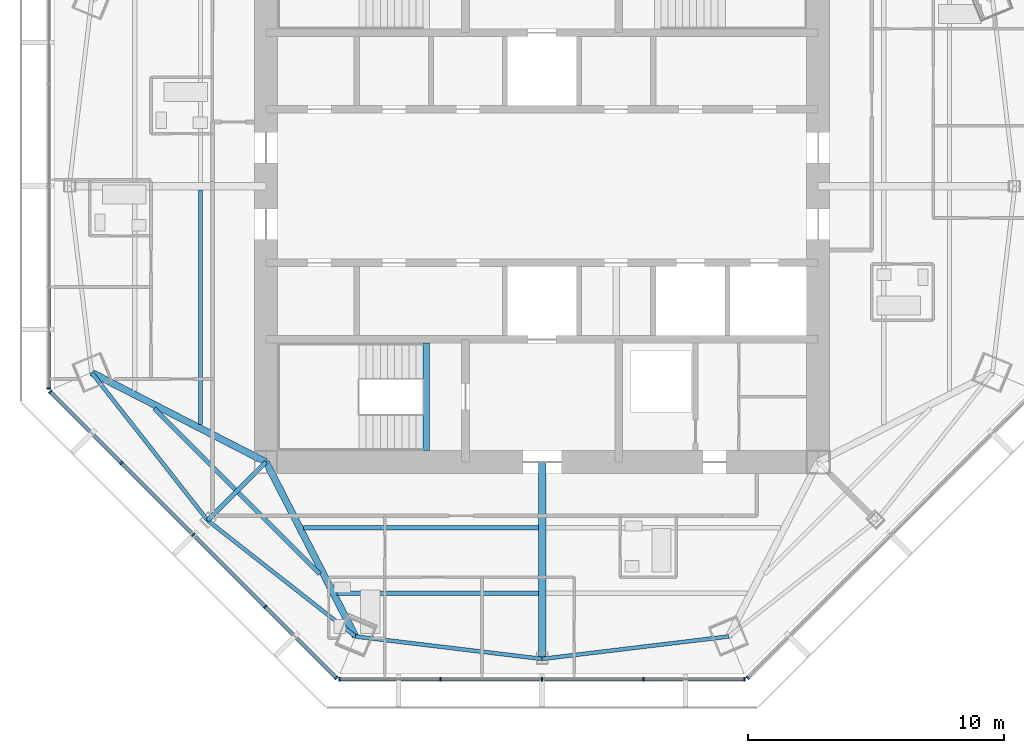
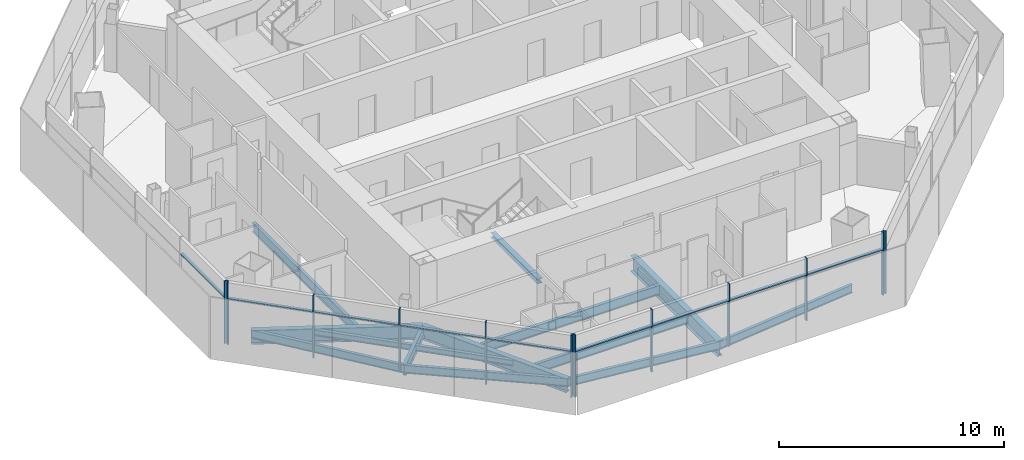
# One storey, part 2 of 15: 21 members, 14 beams, 4 elements without a shape of their own.
"""IFC4 building model written with IfcOpenShell, lengths in metres."""

from ifc_helpers import new_model, si_unit, direction, frame, origin, origin_2d, place, context, subcontext, project, spatial, rectangle, i_section, extrude, source, transform, mapped, material, material_profile, profile_set, type_object, type_shapes, element, aggregate, save


model = new_model("IFC4")

# Units and contexts
model_context = context("Model", 3, precision=1e-05, world=origin(), true_north=direction((0.0, 1.0)))
body_context = subcontext(model_context, "Body", "Model", "MODEL_VIEW")
ifc_project = project(units=[si_unit("LENGTHUNIT", "METRE"), si_unit("AREAUNIT", "SQUARE_METRE"), si_unit("VOLUMEUNIT", "CUBIC_METRE"), si_unit("PLANEANGLEUNIT", "RADIAN"), si_unit("MASSUNIT", "GRAM", prefix="KILO")], contexts=[model_context])

# Site, building, storey
site_placement = place(None, origin())
site = spatial("IfcSite", under=ifc_project, at=site_placement, CompositionType="ELEMENT")
building_placement = place(site_placement, origin())
building = spatial("IfcBuilding", under=site, at=building_placement, Name="Mashrafa Tower", CompositionType="ELEMENT")
storey_placement = place(building_placement, frame((0.0, 0.0, 308.199951171875)))
storey = spatial("IfcBuildingStorey", under=building, at=storey_placement, Name="L76", CompositionType="ELEMENT", Elevation=308.199951171875)

# Beams
ifc_material_1 = material(Name="Steel ASTM A992", Category="steel")
ifc_material_profile_1 = material_profile(ifc_material_1, i_section(OverallWidth=0.164794921875, OverallDepth=0.309814453125, WebThickness=0.005859375, FlangeThickness=0.009765625, FilletRadius=0.007568359375, at=origin_2d()), Name="W12X26")
ifc_profile_set_1 = profile_set([ifc_material_profile_1], Name="Steel ASTM A992")
beam_type_1 = type_object("IfcBeamType", Name="Beam W12X26", PredefinedType="BEAM", material=ifc_profile_set_1)
for number, where, z_axis, x_axis, name in (
    (1, (-12.00439453125, -11.87841796875, -0.35498046875), (-0.707106781187, 0.707106781187, 0.0), (-0.707106781187, -0.707106781187, 0.0), "Floor beam L76 006"),
    (2, (-8.70361328125, -15.17919921875, -0.35498046875), (-0.707106781187, 0.707106781187, 0.0), (-0.707106781187, -0.707106781187, 0.0), "Floor beam L76 009"),
):
    element("IfcBeam", number, at=place(storey_placement, frame(where, z_axis=z_axis, x_axis=x_axis)), inside=storey, type_object=beam_type_1, Name=name, PredefinedType="BEAM", context=body_context, shape_type="SweptSolid", body=[
        extrude(i_section(OverallWidth=0.164794921875, OverallDepth=0.309814453125, WebThickness=0.005859375, FlangeThickness=0.009765625, FilletRadius=0.007568359375, at=origin_2d()), origin(), (0.0, 0.0, 1.0), 4.48974609375),
    ])
ifc_material_2 = material(Name="Steel ASTM A992", Category="steel")
ifc_material_profile_2 = material_profile(ifc_material_2, i_section(OverallWidth=0.15234375, OverallDepth=0.449462890625, WebThickness=0.007568359375, FlangeThickness=0.0107421875, FilletRadius=0.01025390625, at=origin_2d()), Name="W18X35")
ifc_profile_set_2 = profile_set([ifc_material_profile_2], Name="Steel ASTM A992")
beam_type_2 = type_object("IfcBeamType", Name="Beam W18X35", PredefinedType="BEAM", material=ifc_profile_set_2)
for number, where, z_axis, x_axis, name in (
    (3, (-17.62353515625, -7.2998046875, -0.4248046875), (0.617570758349, -0.786515326254, 0.0), (0.786515326254, 0.617570758349, 0.0), "Spandrel beam L76 042"),
    (4, (-13.082763671875, -13.082763671875, -0.4248046875), (0.786515326254, -0.617570758349, 0.0), (0.617570758349, 0.786515326254, 0.0), "Spandrel beam L76 044"),
    (5, (-7.2998046875, -17.62353515625, -0.4248046875), (0.992841442027, -0.119439821638, 0.0), (0.119439821638, 0.992841442027, 0.0), "Spandrel beam L76 046"),
    (6, (0.0, -18.501708984375, -0.4248046875), (0.992841442027, 0.119439821638, 0.0), (-0.119439821638, 0.992841442027, 0.0), "Spandrel beam L76 048"),
):
    element("IfcBeam", number, at=place(storey_placement, frame(where, z_axis=z_axis, x_axis=x_axis)), inside=storey, type_object=beam_type_2, Name=name, PredefinedType="BEAM", context=body_context, shape_type="SweptSolid", body=[
        extrude(i_section(OverallWidth=0.15234375, OverallDepth=0.449462890625, WebThickness=0.007568359375, FlangeThickness=0.0107421875, FilletRadius=0.01025390625, at=origin_2d()), origin(), (0.0, 0.0, 1.0), 7.3525390625),
    ])
ifc_material_3 = material(Name="Steel ASTM A992", Category="steel")
ifc_material_profile_3 = material_profile(ifc_material_3, i_section(OverallWidth=0.165771484375, OverallDepth=0.5283203125, WebThickness=0.009765625, FlangeThickness=0.013671875, FilletRadius=0.012939453125, at=origin_2d()), Name="W21X50")
ifc_profile_set_3 = profile_set([ifc_material_profile_3], Name="Steel ASTM A992")
beam_type_3 = type_object("IfcBeamType", Name="Beam W21X50", PredefinedType="BEAM", material=ifc_profile_set_3)
beam_1_placement = place(storey_placement, frame((-13.3671875, -9.333251953125, -0.464111328125), z_axis=(0.0, 1.0, 0.0), x_axis=(-1.0, 0.0, 0.0)))
element("IfcBeam", 7, at=beam_1_placement, inside=storey, type_object=beam_type_3, Name="Floor beam L76 004", PredefinedType="BEAM", context=body_context, shape_type="SweptSolid", body=[
    extrude(i_section(OverallWidth=0.165771484375, OverallDepth=0.5283203125, WebThickness=0.009765625, FlangeThickness=0.013671875, FilletRadius=0.012939453125, at=origin_2d()), origin(), (0.0, 0.0, 1.0), 9.187255859375),
])
beam_2_placement = place(storey_placement, frame((-0.14599609375, -15.9345703125, -0.464111328125), z_axis=(-1.0, 0.0, 0.0), x_axis=(0.0, -1.0, 0.0)))
element("IfcBeam", 8, at=beam_2_placement, inside=storey, type_object=beam_type_3, Name="Floor beam L76 011", PredefinedType="BEAM", context=body_context, shape_type="SweptSolid", body=[
    extrude(i_section(OverallWidth=0.165771484375, OverallDepth=0.5283203125, WebThickness=0.009765625, FlangeThickness=0.013671875, FilletRadius=0.012939453125, at=origin_2d()), origin(), (0.0, 0.0, 1.0), 7.870361328125),
])
beam_3_placement = place(storey_placement, frame((-0.14599609375, -13.3671875, -0.464111328125), z_axis=(-1.0, 0.0, 0.0), x_axis=(0.0, -1.0, 0.0)))
element("IfcBeam", 9, at=beam_3_placement, inside=storey, type_object=beam_type_3, Name="Floor beam L76 012", PredefinedType="BEAM", context=body_context, shape_type="SweptSolid", body=[
    extrude(i_section(OverallWidth=0.165771484375, OverallDepth=0.5283203125, WebThickness=0.009765625, FlangeThickness=0.013671875, FilletRadius=0.012939453125, at=origin_2d()), origin(), (0.0, 0.0, 1.0), 9.187255859375),
])
ifc_material_4 = material(Name="Steel ASTM A992", Category="steel")
ifc_material_profile_4 = material_profile(ifc_material_4, i_section(OverallWidth=0.177978515625, OverallDepth=0.599365234375, WebThickness=0.010009765625, FlangeThickness=0.012939453125, FilletRadius=0.012939453125, at=origin_2d()), Name="W24X55")
ifc_profile_set_4 = profile_set([ifc_material_profile_4], Name="Steel ASTM A992")
beam_type_4 = type_object("IfcBeamType", Name="Beam W24X55", PredefinedType="BEAM", material=ifc_profile_set_4)
beam_4_placement = place(storey_placement, frame((-10.800048828125, -10.800048828125, -0.499755859375), z_axis=(-0.707106781187, -0.707106781187, 0.0), x_axis=(0.707106781187, -0.707106781187, 0.0)))
element("IfcBeam", 10, at=beam_4_placement, inside=storey, type_object=beam_type_4, Name="Radial girder L76 026", PredefinedType="BEAM", context=body_context, shape_type="SweptSolid", body=[
    extrude(i_section(OverallWidth=0.177978515625, OverallDepth=0.599365234375, WebThickness=0.010009765625, FlangeThickness=0.012939453125, FilletRadius=0.012939453125, at=origin_2d()), origin(), (0.0, 0.0, 1.0), 3.228271484375),
])
ifc_material_5 = material(Name="Steel ASTM A992", Category="steel")
ifc_material_profile_5 = material_profile(ifc_material_5, i_section(OverallWidth=0.2666015625, OverallDepth=0.75439453125, WebThickness=0.01318359375, FlangeThickness=0.01708984375, FilletRadius=0.0166015625, at=origin_2d()), Name="W30X99")
ifc_profile_set_5 = profile_set([ifc_material_profile_5], Name="Steel ASTM A992")
beam_type_5 = type_object("IfcBeamType", Name="Beam W30X99", PredefinedType="BEAM", material=ifc_profile_set_5)
for number, where, z_axis, x_axis, name in (
    (11, (-10.800048828125, -10.800048828125, -0.5771484375), (-0.889763431111, 0.456421994055, 0.0), (-0.456421994055, -0.889763431111, 0.0), "Radial girder L76 025"),
    (12, (-10.800048828125, -10.800048828125, -0.5771484375), (0.456421994055, -0.889763431111, 0.0), (0.889763431111, 0.456421994055, 0.0), "Radial girder L76 027"),
):
    element("IfcBeam", number, at=place(storey_placement, frame(where, z_axis=z_axis, x_axis=x_axis)), inside=storey, type_object=beam_type_5, Name=name, PredefinedType="BEAM", context=body_context, shape_type="SweptSolid", body=[
        extrude(i_section(OverallWidth=0.2666015625, OverallDepth=0.75439453125, WebThickness=0.01318359375, FlangeThickness=0.01708984375, FilletRadius=0.0166015625, at=origin_2d()), origin(), (0.0, 0.0, 1.0), 7.6689453125),
    ])
ifc_material_6 = material(Name="Steel ASTM A992", Category="steel")
ifc_material_profile_6 = material_profile(ifc_material_6, i_section(OverallWidth=0.2919921875, OverallDepth=0.8408203125, WebThickness=0.0146484375, FlangeThickness=0.021728515625, FilletRadius=0.017333984375, at=origin_2d()), Name="W33X130")
ifc_profile_set_6 = profile_set([ifc_material_profile_6], Name="Steel ASTM A992")
beam_type_6 = type_object("IfcBeamType", Name="Beam W33X130", PredefinedType="BEAM", material=ifc_profile_set_6)
beam_5_placement = place(storey_placement, frame((0.0, -10.800048828125, -0.620361328125), z_axis=(0.0, -1.0, 0.0), x_axis=(1.0, 0.0, 0.0)))
element("IfcBeam", 13, at=beam_5_placement, inside=storey, type_object=beam_type_6, Name="Radial girder L76 032", PredefinedType="BEAM", context=body_context, shape_type="SweptSolid", body=[
    extrude(i_section(OverallWidth=0.2919921875, OverallDepth=0.8408203125, WebThickness=0.0146484375, FlangeThickness=0.021728515625, FilletRadius=0.017333984375, at=origin_2d()), origin(), (0.0, 0.0, 1.0), 7.70166015625),
])
ifc_material_7 = material(Name="Steel ASTM A992", Category="steel")
ifc_material_profile_7 = material_profile(ifc_material_7, i_section(OverallWidth=0.25390625, OverallDepth=0.25390625, WebThickness=0.008544921875, FlangeThickness=0.01416015625, FilletRadius=0.010009765625, at=origin_2d()), Name="W10X49")
ifc_profile_set_7 = profile_set([ifc_material_profile_7], Name="Steel ASTM A992")
beam_type_7 = type_object("IfcBeamType", Name="Hoistway beam W10X49", PredefinedType="BEAM", material=ifc_profile_set_7)
beam_6_placement = place(storey_placement, frame((-4.530029296875, -10.35009765625, -0.326904296875), z_axis=(0.0, 1.0, 0.0), x_axis=(-1.0, 0.0, 0.0)))
element("IfcBeam", 14, at=beam_6_placement, inside=storey, type_object=beam_type_7, Name="Stair S3 landing beam L76", PredefinedType="BEAM", context=body_context, shape_type="SweptSolid", body=[
    extrude(i_section(OverallWidth=0.25390625, OverallDepth=0.25390625, WebThickness=0.008544921875, FlangeThickness=0.01416015625, FilletRadius=0.010009765625, at=origin_2d()), origin(), (0.0, 0.0, 1.0), 4.2001953125),
])

# Curtain wall, member
ifc_material_8 = material(Name="Unitised aluminium curtain wall", Category="aluminium")
curtain_wall_type = type_object("IfcCurtainWallType", Name="Apartment curtain wall, zone 4 CW-D 160 deep", PredefinedType="NOTDEFINED", material=ifc_material_8)
curtain_wall_1_placement = place(storey_placement, origin())
curtain_wall_1 = element("IfcCurtainWall", 15, at=curtain_wall_1_placement, inside=storey, type_object=curtain_wall_type, Name="Apartment curtain wall, zone 4 L76 west", PredefinedType="NOTDEFINED")
ifc_material_9 = material(Name="Extruded aluminium mullion", Category="aluminium")
ifc_material_profile_8 = material_profile(ifc_material_9, rectangle(XDim=0.159912109375, YDim=0.06005859375, at=origin_2d()), Name="Mullion 60x160")
ifc_profile_set_8 = profile_set([ifc_material_profile_8], Name="Extruded aluminium mullion")
member_type_1 = type_object("IfcMemberType", Name="Mullion CW-D 60 x 160", PredefinedType="MULLION", material=ifc_profile_set_8)
shared_shape_1 = source(origin(), body_context, "Body", "SweptSolid", [
    extrude(rectangle(XDim=0.159912109375, YDim=0.06005859375, at=origin_2d()), origin(), (0.0, 0.0, 1.0), 3.400146484375),
])
type_shapes(member_type_1, [shared_shape_1])
member_1_placement = place(storey_placement, frame((-19.296142578125, -7.919677734375, 0.0), z_axis=(0.0, 0.0, 1.0), x_axis=(1.0, 0.0, 0.0)))
member_1 = element("IfcMember", 16, at=member_1_placement, type_object=member_type_1, Name="CW-D mullion 5", PredefinedType="MULLION", context=body_context, shape_type="MappedRepresentation", body=[
    mapped(shared_shape_1, transform((0.0, 0.0, 0.0))),
])

# Curtain wall, members
curtain_wall_2_placement = place(storey_placement, origin())
curtain_wall_2 = element("IfcCurtainWall", 17, at=curtain_wall_2_placement, inside=storey, type_object=curtain_wall_type, Name="Apartment curtain wall, zone 4 L76 south-west", PredefinedType="NOTDEFINED")
member_2_placement = place(storey_placement, frame((-19.244384765625, -8.04443359375, 0.0), z_axis=(0.0, 0.0, 1.0), x_axis=(0.707106781187, 0.707106781187, 0.0)))
member_2 = element("IfcMember", 18, at=member_2_placement, type_object=member_type_1, Name="CW-D mullion 1", PredefinedType="MULLION", context=body_context, shape_type="MappedRepresentation", body=[
    mapped(shared_shape_1, transform((0.0, 0.0, 0.0))),
])
member_3_placement = place(storey_placement, frame((-16.455078125, -10.833740234375, 0.0), z_axis=(0.0, 0.0, 1.0), x_axis=(0.707106781187, 0.707106781187, 0.0)))
member_3 = element("IfcMember", 19, at=member_3_placement, type_object=member_type_1, Name="CW-D mullion 2", PredefinedType="MULLION", context=body_context, shape_type="MappedRepresentation", body=[
    mapped(shared_shape_1, transform((0.0, 0.0, 0.0))),
])
member_4_placement = place(storey_placement, frame((-13.64453125, -13.64453125, 0.0), z_axis=(0.0, 0.0, 1.0), x_axis=(0.707106781187, 0.707106781187, 0.0)))
member_4 = element("IfcMember", 20, at=member_4_placement, type_object=member_type_1, Name="CW-D mullion 3", PredefinedType="MULLION", context=body_context, shape_type="MappedRepresentation", body=[
    mapped(shared_shape_1, transform((0.0, 0.0, 0.0))),
])
member_5_placement = place(storey_placement, frame((-10.833740234375, -16.455078125, 0.0), z_axis=(0.0, 0.0, 1.0), x_axis=(0.707106781187, 0.707106781187, 0.0)))
member_5 = element("IfcMember", 21, at=member_5_placement, type_object=member_type_1, Name="CW-D mullion 4", PredefinedType="MULLION", context=body_context, shape_type="MappedRepresentation", body=[
    mapped(shared_shape_1, transform((0.0, 0.0, 0.0))),
])
member_6_placement = place(storey_placement, frame((-8.04443359375, -19.244384765625, 0.0), z_axis=(0.0, 0.0, 1.0), x_axis=(0.707106781187, 0.707106781187, 0.0)))
member_6 = element("IfcMember", 22, at=member_6_placement, type_object=member_type_1, Name="CW-D mullion 5", PredefinedType="MULLION", context=body_context, shape_type="MappedRepresentation", body=[
    mapped(shared_shape_1, transform((0.0, 0.0, 0.0))),
])

curtain_wall_3_placement = place(storey_placement, origin())
curtain_wall_3 = element("IfcCurtainWall", 23, at=curtain_wall_3_placement, inside=storey, type_object=curtain_wall_type, Name="Apartment curtain wall, zone 4 L76 south", PredefinedType="NOTDEFINED")
member_7_placement = place(storey_placement, frame((-7.919677734375, -19.296142578125, 0.0), z_axis=(0.0, 0.0, 1.0), x_axis=(0.0, 1.0, 0.0)))
member_7 = element("IfcMember", 24, at=member_7_placement, type_object=member_type_1, Name="CW-D mullion 1", PredefinedType="MULLION", context=body_context, shape_type="MappedRepresentation", body=[
    mapped(shared_shape_1, transform((0.0, 0.0, 0.0))),
])
member_8_placement = place(storey_placement, frame((-3.974853515625, -19.296142578125, 0.0), z_axis=(0.0, 0.0, 1.0), x_axis=(0.0, 1.0, 0.0)))
member_8 = element("IfcMember", 25, at=member_8_placement, type_object=member_type_1, Name="CW-D mullion 2", PredefinedType="MULLION", context=body_context, shape_type="MappedRepresentation", body=[
    mapped(shared_shape_1, transform((0.0, 0.0, 0.0))),
])
member_9_placement = place(storey_placement, frame((0.0, -19.296142578125, 0.0), z_axis=(0.0, 0.0, 1.0), x_axis=(0.0, 1.0, 0.0)))
member_9 = element("IfcMember", 26, at=member_9_placement, type_object=member_type_1, Name="CW-D mullion 3", PredefinedType="MULLION", context=body_context, shape_type="MappedRepresentation", body=[
    mapped(shared_shape_1, transform((0.0, 0.0, 0.0))),
])
member_10_placement = place(storey_placement, frame((3.974853515625, -19.296142578125, 0.0), z_axis=(0.0, 0.0, 1.0), x_axis=(0.0, 1.0, 0.0)))
member_10 = element("IfcMember", 27, at=member_10_placement, type_object=member_type_1, Name="CW-D mullion 4", PredefinedType="MULLION", context=body_context, shape_type="MappedRepresentation", body=[
    mapped(shared_shape_1, transform((0.0, 0.0, 0.0))),
])
member_11_placement = place(storey_placement, frame((7.919677734375, -19.296142578125, 0.0), z_axis=(0.0, 0.0, 1.0), x_axis=(0.0, 1.0, 0.0)))
member_11 = element("IfcMember", 28, at=member_11_placement, type_object=member_type_1, Name="CW-D mullion 5", PredefinedType="MULLION", context=body_context, shape_type="MappedRepresentation", body=[
    mapped(shared_shape_1, transform((0.0, 0.0, 0.0))),
])

# Curtain wall, member
curtain_wall_4_placement = place(storey_placement, origin())
curtain_wall_4 = element("IfcCurtainWall", 29, at=curtain_wall_4_placement, inside=storey, type_object=curtain_wall_type, Name="Apartment curtain wall, zone 4 L76 south-east", PredefinedType="NOTDEFINED")
member_12_placement = place(storey_placement, frame((8.04443359375, -19.244384765625, 0.0), z_axis=(0.0, 0.0, 1.0), x_axis=(-0.707106781187, 0.707106781187, 0.0)))
member_12 = element("IfcMember", 30, at=member_12_placement, type_object=member_type_1, Name="CW-D mullion 1", PredefinedType="MULLION", context=body_context, shape_type="MappedRepresentation", body=[
    mapped(shared_shape_1, transform((0.0, 0.0, 0.0))),
])
aggregate(curtain_wall_4, [member_12])

# Member
ifc_material_10 = material(Name="Extruded aluminium transom", Category="aluminium")
ifc_material_profile_9 = material_profile(ifc_material_10, rectangle(XDim=0.1279296875, YDim=0.074951171875, at=origin_2d()), Name="Transom 75x128")
ifc_profile_set_9 = profile_set([ifc_material_profile_9], Name="Extruded aluminium transom")
member_type_2 = type_object("IfcMemberType", Name="Transom CW-D 75 x 128", PredefinedType="MULLION", material=ifc_profile_set_9)
shared_shape_2 = source(origin(), body_context, "Body", "SweptSolid", [
    extrude(rectangle(XDim=0.1279296875, YDim=0.074951171875, at=origin_2d()), origin(), (0.0, 0.0, 1.0), 3.884765625),
])
member_13_placement = place(storey_placement, frame((-19.296142578125, -4.0048828125, 2.5), z_axis=(0.0, -1.0, 0.0), x_axis=(1.0, 0.0, 0.0)))
member_13 = element("IfcMember", 31, at=member_13_placement, type_object=member_type_2, Name="CW-D transom 4", PredefinedType="MULLION", context=body_context, shape_type="MappedRepresentation", body=[
    mapped(shared_shape_2, transform((0.0, 0.0, 0.0))),
])

aggregate(curtain_wall_1, [member_1, member_13])

member_14_placement = place(storey_placement, frame((-19.22314453125, -8.065673828125, 2.5), z_axis=(0.70707535771, -0.707138203267, 0.0), x_axis=(0.707138203267, 0.70707535771, 0.0)))
member_14 = element("IfcMember", 32, at=member_14_placement, type_object=member_type_2, Name="CW-D transom 1", PredefinedType="MULLION", context=body_context, shape_type="MappedRepresentation", body=[
    mapped(shared_shape_2, transform((0.0, 0.0, 0.0))),
])

member_15_placement = place(storey_placement, frame((-10.812744140625, -16.476318359375, 2.5), z_axis=(0.707138203267, -0.70707535771, 0.0), x_axis=(0.70707535771, 0.707138203267, 0.0)))
member_15 = element("IfcMember", 33, at=member_15_placement, type_object=member_type_2, Name="CW-D transom 4", PredefinedType="MULLION", context=body_context, shape_type="MappedRepresentation", body=[
    mapped(shared_shape_2, transform((0.0, 0.0, 0.0))),
])

member_16_placement = place(storey_placement, frame((-7.8896484375, -19.296142578125, 2.5), z_axis=(1.0, 0.0, 0.0), x_axis=(0.0, 1.0, 0.0)))
member_16 = element("IfcMember", 34, at=member_16_placement, type_object=member_type_2, Name="CW-D transom 1", PredefinedType="MULLION", context=body_context, shape_type="MappedRepresentation", body=[
    mapped(shared_shape_2, transform((0.0, 0.0, 0.0))),
])

member_17_placement = place(storey_placement, frame((4.0048828125, -19.296142578125, 2.5), z_axis=(1.0, 0.0, 0.0), x_axis=(0.0, 1.0, 0.0)))
member_17 = element("IfcMember", 35, at=member_17_placement, type_object=member_type_2, Name="CW-D transom 4", PredefinedType="MULLION", context=body_context, shape_type="MappedRepresentation", body=[
    mapped(shared_shape_2, transform((0.0, 0.0, 0.0))),
])

shared_shape_3 = source(origin(), body_context, "Body", "SweptSolid", [
    extrude(rectangle(XDim=0.1279296875, YDim=0.074951171875, at=origin_2d()), origin(), (0.0, 0.0, 1.0), 3.914794921875),
])
type_shapes(member_type_2, [shared_shape_2, shared_shape_3])
member_18_placement = place(storey_placement, frame((-16.433837890625, -10.85498046875, 2.5), z_axis=(0.707075598827, -0.707137962171, 0.0), x_axis=(0.707137962171, 0.707075598827, 0.0)))
member_18 = element("IfcMember", 36, at=member_18_placement, type_object=member_type_2, Name="CW-D transom 2", PredefinedType="MULLION", context=body_context, shape_type="MappedRepresentation", body=[
    mapped(shared_shape_3, transform((0.0, 0.0, 0.0))),
])

member_19_placement = place(storey_placement, frame((-13.623291015625, -13.665771484375, 2.5), z_axis=(0.707137962171, -0.707075598827, 0.0), x_axis=(0.707075598827, 0.707137962171, 0.0)))
member_19 = element("IfcMember", 37, at=member_19_placement, type_object=member_type_2, Name="CW-D transom 3", PredefinedType="MULLION", context=body_context, shape_type="MappedRepresentation", body=[
    mapped(shared_shape_3, transform((0.0, 0.0, 0.0))),
])

aggregate(curtain_wall_2, [member_2, member_3, member_4, member_5, member_6, member_14, member_18, member_19, member_15])

member_20_placement = place(storey_placement, frame((-3.94482421875, -19.296142578125, 2.5), z_axis=(1.0, 0.0, 0.0), x_axis=(0.0, 1.0, 0.0)))
member_20 = element("IfcMember", 38, at=member_20_placement, type_object=member_type_2, Name="CW-D transom 2", PredefinedType="MULLION", context=body_context, shape_type="MappedRepresentation", body=[
    mapped(shared_shape_3, transform((0.0, 0.0, 0.0))),
])

member_21_placement = place(storey_placement, frame((0.030029296875, -19.296142578125, 2.5), z_axis=(1.0, 0.0, 0.0), x_axis=(0.0, 1.0, 0.0)))
member_21 = element("IfcMember", 39, at=member_21_placement, type_object=member_type_2, Name="CW-D transom 3", PredefinedType="MULLION", context=body_context, shape_type="MappedRepresentation", body=[
    mapped(shared_shape_3, transform((0.0, 0.0, 0.0))),
])

aggregate(curtain_wall_3, [member_7, member_8, member_9, member_10, member_11, member_16, member_20, member_21, member_17])

save(model, "model.ifc")
